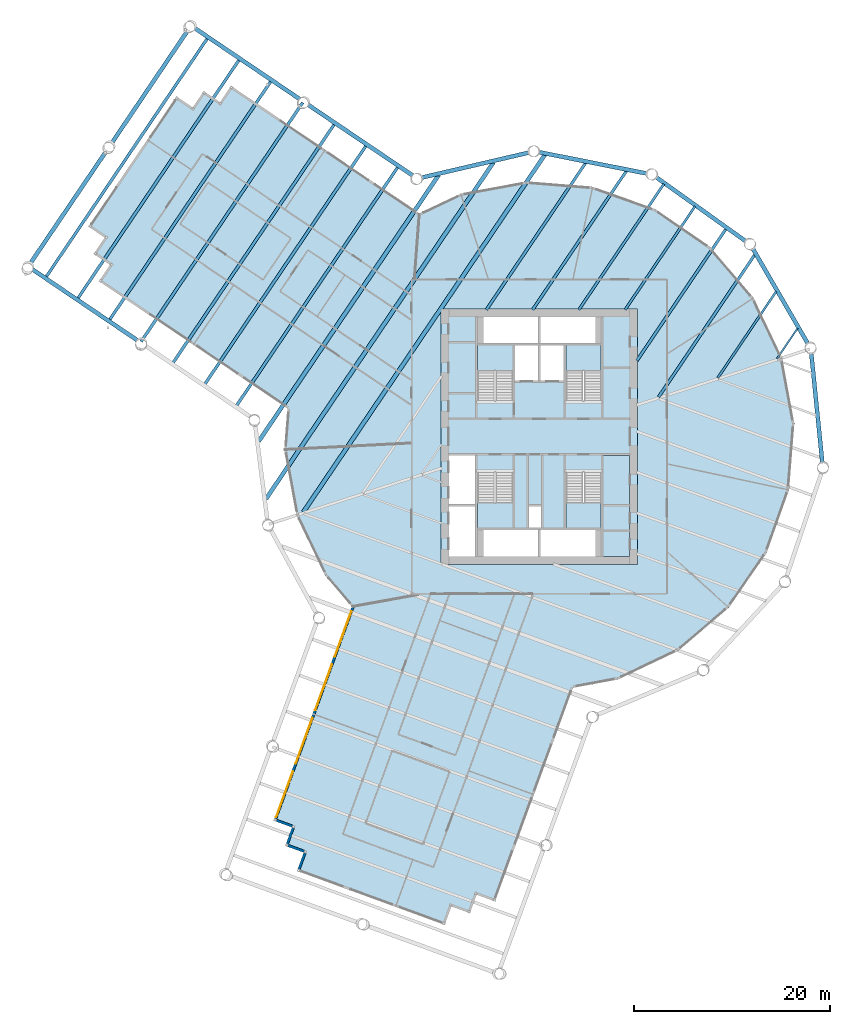
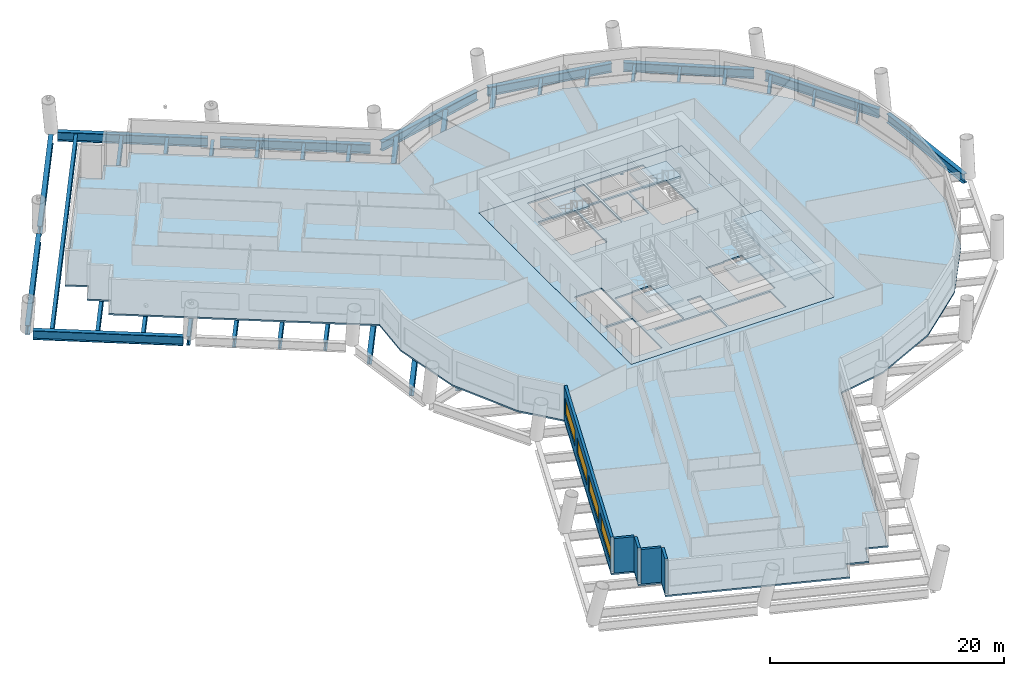
# One storey, part 2 of 13: 28 beams, 7 slabs, 5 walls, 4 windows, 4 openings, 4 elements without a shape of their own.
"""IFC4 building model written with IfcOpenShell, lengths in metres."""

from ifc_helpers import new_model, si_unit, direction, frame, frame_2d, origin, origin_2d, place, context, subcontext, project, spatial, polyline, rectangle, i_section, outline, extrude, material, layer, layer_set, material_profile, profile_set, type_object, element, fill, aggregate, save


model = new_model("IFC4")

# Units and contexts
model_context = context("Model", 3, precision=1e-05, world=origin(), true_north=direction((0.0, 1.0)))
body_context = subcontext(model_context, "Body", "Model", "MODEL_VIEW")
ifc_project = project(units=[si_unit("LENGTHUNIT", "METRE"), si_unit("AREAUNIT", "SQUARE_METRE"), si_unit("VOLUMEUNIT", "CUBIC_METRE"), si_unit("PLANEANGLEUNIT", "RADIAN"), si_unit("MASSUNIT", "GRAM", prefix="KILO")], contexts=[model_context])

# Site, building, storey
site_placement = place(None, origin())
site = spatial("IfcSite", under=ifc_project, at=site_placement, CompositionType="ELEMENT")
building_placement = place(site_placement, origin())
building = spatial("IfcBuilding", under=site, at=building_placement, Name="Tarsis Ring Headquarters", CompositionType="ELEMENT")
storey_placement = place(building_placement, frame((0.0, 0.0, 135.699951171875)))
storey = spatial("IfcBuildingStorey", under=building, at=storey_placement, Name="L31", CompositionType="ELEMENT", Elevation=135.699951171875)

# Beams
ifc_material_1 = material(Name="Structural steel S355", Category="steel")
ifc_material_profile_1 = material_profile(ifc_material_1, i_section(OverallWidth=0.177734375, OverallDepth=0.406494140625, WebThickness=0.0078125, FlangeThickness=0.0126953125, at=origin_2d()), Name="W16x40")
ifc_profile_set_1 = profile_set([ifc_material_profile_1], Name="Structural steel S355")
beam_type_1 = type_object("IfcBeamType", Name="FB Floor beam W16x40", PredefinedType="JOIST", material=ifc_profile_set_1)
beam_1_placement = place(storey_placement, frame((26.287109375, 11.0302734375, -0.363037109375), z_axis=(-0.560034167022, -0.828469511671, 0.0), x_axis=(0.828469511671, -0.560034167022, 0.0)))
element("IfcBeam", 1, at=beam_1_placement, inside=storey, type_object=beam_type_1, Name="Floor beam FB1", PredefinedType="JOIST", context=body_context, shape_type="SweptSolid", body=[
    extrude(i_section(OverallWidth=0.177734375, OverallDepth=0.406494140625, WebThickness=0.0078125, FlangeThickness=0.0126953125, at=origin_2d()), origin(), (0.0, 0.0, 1.0), 3.74169921875),
])
ifc_material_profile_2 = material_profile(ifc_material_1, i_section(OverallWidth=0.228271484375, OverallDepth=0.607177734375, WebThickness=0.01123046875, FlangeThickness=0.017333984375, at=origin_2d()), Name="W24x76")
ifc_profile_set_2 = profile_set([ifc_material_profile_2], Name="Structural steel S355")
beam_type_2 = type_object("IfcBeamType", Name="FB Floor beam W24x76", PredefinedType="JOIST", material=ifc_profile_set_2)
beam_2_placement = place(storey_placement, frame((24.113525390625, 14.7783203125, -0.463623046875), z_axis=(-0.560062127069, -0.828450610371, 0.0), x_axis=(0.828450610371, -0.560062127069, 0.0)))
element("IfcBeam", 2, at=beam_2_placement, inside=storey, type_object=beam_type_2, Name="Floor beam FB4", PredefinedType="JOIST", context=body_context, shape_type="SweptSolid", body=[
    extrude(i_section(OverallWidth=0.228271484375, OverallDepth=0.607177734375, WebThickness=0.01123046875, FlangeThickness=0.017333984375, at=origin_2d()), origin(), (0.0, 0.0, 1.0), 10.62109375),
])
ifc_material_profile_3 = material_profile(ifc_material_1, i_section(OverallWidth=0.2529296875, OverallDepth=0.67822265625, WebThickness=0.01171875, FlangeThickness=0.016357421875, at=origin_2d()), Name="W27x84")
ifc_profile_set_3 = profile_set([ifc_material_profile_3], Name="Structural steel S355")
beam_type_3 = type_object("IfcBeamType", Name="FB Floor beam W27x84", PredefinedType="JOIST", material=ifc_profile_set_3)
beam_3_placement = place(storey_placement, frame((15.845703125, 23.439208984375, -0.4990234375), z_axis=(-0.560064984481, -0.828448678651, 0.0), x_axis=(0.828448678651, -0.560064984481, 0.0)))
element("IfcBeam", 3, at=beam_3_placement, inside=storey, type_object=beam_type_3, Name="Floor beam FB5", PredefinedType="JOIST", context=body_context, shape_type="SweptSolid", body=[
    extrude(i_section(OverallWidth=0.2529296875, OverallDepth=0.67822265625, WebThickness=0.01171875, FlangeThickness=0.016357421875, at=origin_2d()), origin(), (0.0, 0.0, 1.0), 12.700927734375),
])
ifc_material_profile_4 = material_profile(ifc_material_1, i_section(OverallWidth=0.2666015625, OverallDepth=0.7568359375, WebThickness=0.013916015625, FlangeThickness=0.019287109375, at=origin_2d()), Name="W30x108")
ifc_profile_set_4 = profile_set([ifc_material_profile_4], Name="Structural steel S355")
beam_type_4 = type_object("IfcBeamType", Name="FB Floor beam W30x108", PredefinedType="JOIST", material=ifc_profile_set_4)
beam_4_placement = place(storey_placement, frame((12.67138671875, 25.70751953125, -0.538330078125), z_axis=(-0.560053114265, -0.828456703276, 0.0), x_axis=(0.828456703276, -0.560053114265, 0.0)))
element("IfcBeam", 4, at=beam_4_placement, inside=storey, type_object=beam_type_4, Name="Floor beam FB6", PredefinedType="JOIST", context=body_context, shape_type="SweptSolid", body=[
    extrude(i_section(OverallWidth=0.2666015625, OverallDepth=0.7568359375, WebThickness=0.013916015625, FlangeThickness=0.019287109375, at=origin_2d()), origin(), (0.0, 0.0, 1.0), 15.438720703125),
])
ifc_material_profile_5 = material_profile(ifc_material_1, i_section(OverallWidth=0.2919921875, OverallDepth=0.835693359375, WebThickness=0.013916015625, FlangeThickness=0.018798828125, at=origin_2d()), Name="W33x118")
ifc_profile_set_5 = profile_set([ifc_material_profile_5], Name="Structural steel S355")
beam_type_5 = type_object("IfcBeamType", Name="FB Floor beam W33x118", PredefinedType="JOIST", material=ifc_profile_set_5)
beam_5_placement = place(storey_placement, frame((21.939697265625, 18.526611328125, -0.577880859375), z_axis=(-0.560061632152, -0.828450944952, 0.0), x_axis=(0.828450944952, -0.560061632152, 0.0)))
element("IfcBeam", 5, at=beam_5_placement, inside=storey, type_object=beam_type_5, Name="Floor beam FB7", PredefinedType="JOIST", context=body_context, shape_type="SweptSolid", body=[
    extrude(i_section(OverallWidth=0.2919921875, OverallDepth=0.835693359375, WebThickness=0.013916015625, FlangeThickness=0.018798828125, at=origin_2d()), origin(), (0.0, 0.0, 1.0), 17.500732421875),
])
beam_6_placement = place(storey_placement, frame((19.02001953125, 21.171142578125, -0.577880859375), z_axis=(-0.560060068609, -0.828452001959, 0.0), x_axis=(0.828452001959, -0.560060068609, 0.0)))
element("IfcBeam", 6, at=beam_6_placement, inside=storey, type_object=beam_type_5, Name="Floor beam FB7", PredefinedType="JOIST", context=body_context, shape_type="SweptSolid", body=[
    extrude(i_section(OverallWidth=0.2919921875, OverallDepth=0.835693359375, WebThickness=0.013916015625, FlangeThickness=0.018798828125, at=origin_2d()), origin(), (0.0, 0.0, 1.0), 16.205322265625),
])
beam_7_placement = place(storey_placement, frame((8.882080078125, 27.065673828125, -0.577880859375), z_axis=(-0.560056077276, -0.828454700214, 0.0), x_axis=(0.828454700214, -0.560056077276, 0.0)))
element("IfcBeam", 7, at=beam_7_placement, inside=storey, type_object=beam_type_5, Name="Floor beam FB7", PredefinedType="JOIST", context=body_context, shape_type="SweptSolid", body=[
    extrude(i_section(OverallWidth=0.2919921875, OverallDepth=0.835693359375, WebThickness=0.013916015625, FlangeThickness=0.018798828125, at=origin_2d()), origin(), (0.0, 0.0, 1.0), 17.078125),
])
beam_8_placement = place(storey_placement, frame((4.73046875, 27.887939453125, -0.577880859375), z_axis=(-0.560066720723, -0.828447504878, 0.0), x_axis=(0.828447504878, -0.560066720723, 0.0)))
element("IfcBeam", 8, at=beam_8_placement, inside=storey, type_object=beam_type_5, Name="Floor beam FB7", PredefinedType="JOIST", context=body_context, shape_type="SweptSolid", body=[
    extrude(i_section(OverallWidth=0.2919921875, OverallDepth=0.835693359375, WebThickness=0.013916015625, FlangeThickness=0.018798828125, at=origin_2d()), origin(), (0.0, 0.0, 1.0), 18.07080078125),
])
ifc_material_profile_6 = material_profile(ifc_material_1, i_section(OverallWidth=0.309814453125, OverallDepth=0.949951171875, WebThickness=0.0244140625, FlangeThickness=0.0439453125, at=origin_2d()), Name="W36x256")
ifc_profile_set_6 = profile_set([ifc_material_profile_6], Name="Structural steel S355")
beam_type_6 = type_object("IfcBeamType", Name="FB Floor beam W36x256", PredefinedType="JOIST", material=ifc_profile_set_6)
for number, where, z_axis, x_axis, name in (
    (9, (-14.390625, 27.457763671875, -0.635009765625), (-0.560058799997, -0.828452859579, 0.0), (0.828452859579, -0.560058799997, 0.0), "Floor beam FB11"),
    (10, (-17.62158203125, 29.64208984375, -0.635009765625), (-0.560058799997, -0.828452859579, 0.0), (0.828452859579, -0.560058799997, 0.0), "Floor beam FB11"),
    (11, (-20.8525390625, 31.826416015625, -0.635009765625), (-0.560058799997, -0.828452859579, 0.0), (0.828452859579, -0.560058799997, 0.0), "Floor beam FB11"),
    (12, (-24.08349609375, 34.010498046875, -0.635009765625), (-0.560058799997, -0.828452859579, 0.0), (0.828452859579, -0.560058799997, 0.0), "Floor beam FB11"),
    (13, (-27.314453125, 36.19482421875, -0.635009765625), (-0.560058799997, -0.828452859579, 0.0), (0.828452859579, -0.560058799997, 0.0), "Floor beam FB11"),
    (14, (-30.54541015625, 38.379150390625, -0.635009765625), (-0.560058799997, -0.828452859579, 0.0), (0.828452859579, -0.560058799997, 0.0), "Floor beam FB11"),
    (15, (-33.7763671875, 40.563232421875, -0.635009765625), (-0.560058799997, -0.828452859579, 0.0), (0.828452859579, -0.560058799997, 0.0), "Floor beam FB11"),
):
    element("IfcBeam", number, at=place(storey_placement, frame(where, z_axis=z_axis, x_axis=x_axis)), inside=storey, type_object=beam_type_6, Name=name, PredefinedType="JOIST", context=body_context, shape_type="SweptSolid", body=[
        extrude(i_section(OverallWidth=0.309814453125, OverallDepth=0.949951171875, WebThickness=0.0244140625, FlangeThickness=0.0439453125, at=origin_2d()), origin(), (0.0, 0.0, 1.0), 29.375732421875),
    ])
ifc_material_profile_7 = material_profile(ifc_material_1, i_section(OverallWidth=0.42431640625, OverallDepth=0.947509765625, WebThickness=0.02392578125, FlangeThickness=0.042724609375, at=origin_2d()), Name="W36x302")
ifc_profile_set_7 = profile_set([ifc_material_profile_7], Name="Structural steel S355")
beam_type_7 = type_object("IfcBeamType", Name="FB Floor beam W36x302", PredefinedType="JOIST", material=ifc_profile_set_7)
beam_9_placement = place(storey_placement, frame((0.578857421875, 28.710205078125, -0.633544921875), z_axis=(-0.560062943023, -0.828450058756, 0.0), x_axis=(0.828450058756, -0.560062943023, 0.0)))
element("IfcBeam", 16, at=beam_9_placement, inside=storey, type_object=beam_type_7, Name="Floor beam FB12", PredefinedType="JOIST", context=body_context, shape_type="SweptSolid", body=[
    extrude(i_section(OverallWidth=0.42431640625, OverallDepth=0.947509765625, WebThickness=0.02392578125, FlangeThickness=0.042724609375, at=origin_2d()), origin(), (0.0, 0.0, 1.0), 43.924560546875),
])
beam_10_placement = place(storey_placement, frame((-4.6611328125, 27.9228515625, -0.633544921875), z_axis=(-0.560059293803, -0.828452525752, 0.0), x_axis=(0.828452525752, -0.560059293803, 0.0)))
element("IfcBeam", 17, at=beam_10_placement, inside=storey, type_object=beam_type_7, Name="Floor beam FB12", PredefinedType="JOIST", context=body_context, shape_type="SweptSolid", body=[
    extrude(i_section(OverallWidth=0.42431640625, OverallDepth=0.947509765625, WebThickness=0.02392578125, FlangeThickness=0.042724609375, at=origin_2d()), origin(), (0.0, 0.0, 1.0), 41.35302734375),
])
beam_11_placement = place(storey_placement, frame((-10.250732421875, 26.6181640625, -0.633544921875), z_axis=(-0.560061708418, -0.828450893393, 0.0), x_axis=(0.828450893393, -0.560061708418, 0.0)))
element("IfcBeam", 18, at=beam_11_placement, inside=storey, type_object=beam_type_7, Name="Floor beam FB12", PredefinedType="JOIST", context=body_context, shape_type="SweptSolid", body=[
    extrude(i_section(OverallWidth=0.42431640625, OverallDepth=0.947509765625, WebThickness=0.02392578125, FlangeThickness=0.042724609375, at=origin_2d()), origin(), (0.0, 0.0, 1.0), 32.70458984375),
])
beam_type_8 = type_object("IfcBeamType", Name="XG Ring girder W36x302", PredefinedType="BEAM", material=ifc_profile_set_7)
beam_12_placement = place(storey_placement, frame((28.814453125, -2.716064453125, -0.4736328125), z_axis=(-0.100516147334, 0.994935427113, 0.0), x_axis=(-0.994935427113, -0.100516147334, 0.0)))
element("IfcBeam", 19, at=beam_12_placement, inside=storey, type_object=beam_type_8, Name="Ring girder XG1", PredefinedType="BEAM", context=body_context, shape_type="SweptSolid", body=[
    extrude(i_section(OverallWidth=0.42431640625, OverallDepth=0.947509765625, WebThickness=0.02392578125, FlangeThickness=0.042724609375, at=origin_2d()), origin(), (0.0, 0.0, 1.0), 11.197021484375),
])
beam_13_placement = place(storey_placement, frame((27.372314453125, 9.40234375, -0.4736328125), z_axis=(-0.501677301417, 0.865054845222, 0.0), x_axis=(-0.865054845222, -0.501677301417, 0.0)))
element("IfcBeam", 20, at=beam_13_placement, inside=storey, type_object=beam_type_8, Name="Ring girder XG1", PredefinedType="BEAM", context=body_context, shape_type="SweptSolid", body=[
    extrude(i_section(OverallWidth=0.42431640625, OverallDepth=0.947509765625, WebThickness=0.02392578125, FlangeThickness=0.042724609375, at=origin_2d()), origin(), (0.0, 0.0, 1.0), 11.197265625),
])
beam_14_placement = place(storey_placement, frame((21.0634765625, 19.84912109375, -0.4736328125), z_axis=(-0.81364801784, 0.581357809842, 0.0), x_axis=(-0.581357809842, -0.81364801784, 0.0)))
element("IfcBeam", 21, at=beam_14_placement, inside=storey, type_object=beam_type_8, Name="Ring girder XG1", PredefinedType="BEAM", context=body_context, shape_type="SweptSolid", body=[
    extrude(i_section(OverallWidth=0.42431640625, OverallDepth=0.947509765625, WebThickness=0.02392578125, FlangeThickness=0.042724609375, at=origin_2d()), origin(), (0.0, 0.0, 1.0), 11.197509765625),
])
beam_15_placement = place(storey_placement, frame((11.00927734375, 26.7666015625, -0.4736328125), z_axis=(-0.98094377027, 0.194291841229, 0.0), x_axis=(-0.194291841229, -0.98094377027, 0.0)))
element("IfcBeam", 22, at=beam_15_placement, inside=storey, type_object=beam_type_8, Name="Ring girder XG1", PredefinedType="BEAM", context=body_context, shape_type="SweptSolid", body=[
    extrude(i_section(OverallWidth=0.42431640625, OverallDepth=0.947509765625, WebThickness=0.02392578125, FlangeThickness=0.042724609375, at=origin_2d()), origin(), (0.0, 0.0, 1.0), 11.197265625),
])
beam_16_placement = place(storey_placement, frame((-1.00244140625, 28.9248046875, -0.4736328125), z_axis=(-0.973824802998, -0.227299918755, 0.0), x_axis=(0.227299918755, -0.973824802998, 0.0)))
element("IfcBeam", 23, at=beam_16_placement, inside=storey, type_object=beam_type_8, Name="Ring girder XG1", PredefinedType="BEAM", context=body_context, shape_type="SweptSolid", body=[
    extrude(i_section(OverallWidth=0.42431640625, OverallDepth=0.947509765625, WebThickness=0.02392578125, FlangeThickness=0.042724609375, at=origin_2d()), origin(), (0.0, 0.0, 1.0), 11.197509765625),
])
for number, where, z_axis, x_axis, name in (
    (24, (-12.854248046875, 26.554443359375, -0.4736328125), (-0.828449601489, 0.560063619416, 0.0), (-0.560063619416, -0.828449601489, 0.0), "Ring girder XG1"),
    (25, (-24.37158203125, 34.340576171875, -0.4736328125), (-0.828449601489, 0.560063619416, 0.0), (-0.560063619416, -0.828449601489, 0.0), "Ring girder XG1"),
):
    element("IfcBeam", number, at=place(storey_placement, frame(where, z_axis=z_axis, x_axis=x_axis)), inside=storey, type_object=beam_type_8, Name=name, PredefinedType="BEAM", context=body_context, shape_type="SweptSolid", body=[
        extrude(i_section(OverallWidth=0.42431640625, OverallDepth=0.947509765625, WebThickness=0.02392578125, FlangeThickness=0.042724609375, at=origin_2d()), origin(), (0.0, 0.0, 1.0), 12.850830078125),
    ])
for number, where, z_axis, x_axis, name in (
    (26, (-35.747802734375, 41.396728515625, -0.4736328125), (-0.560061029397, -0.828451352435, 0.0), (0.828451352435, -0.560061029397, 0.0), "Ring girder XG1"),
    (27, (-44.03662109375, 29.1357421875, -0.4736328125), (-0.5600527902, -0.82845692235, 0.0), (0.82845692235, -0.5600527902, 0.0), "Ring girder XG1"),
):
    element("IfcBeam", number, at=place(storey_placement, frame(where, z_axis=z_axis, x_axis=x_axis)), inside=storey, type_object=beam_type_8, Name=name, PredefinedType="BEAM", context=body_context, shape_type="SweptSolid", body=[
        extrude(i_section(OverallWidth=0.42431640625, OverallDepth=0.947509765625, WebThickness=0.02392578125, FlangeThickness=0.042724609375, at=origin_2d()), origin(), (0.0, 0.0, 1.0), 13.74853515625),
    ])
beam_17_placement = place(storey_placement, frame((-51.595458984375, 17.015625, -0.4736328125), z_axis=(0.828452457217, -0.560059395182, 0.0), x_axis=(0.560059395182, 0.828452457217, 0.0)))
element("IfcBeam", 28, at=beam_17_placement, inside=storey, type_object=beam_type_8, Name="Ring girder XG1", PredefinedType="BEAM", context=body_context, shape_type="SweptSolid", body=[
    extrude(i_section(OverallWidth=0.42431640625, OverallDepth=0.947509765625, WebThickness=0.02392578125, FlangeThickness=0.042724609375, at=origin_2d()), origin(), (0.0, 0.0, 1.0), 12.850341796875),
])

# Slab
ifc_material_2 = material(Name="Concrete C40/50", Category="concrete")
ifc_layer_1 = layer(ifc_material_2, 0.159912109375)
ifc_layer_set_1 = layer_set([ifc_layer_1], Name="Core floor slab 160 C40/50")
slab_type_1 = type_object("IfcSlabType", Name="Core floor slab 160 C40/50", PredefinedType="FLOOR", material=ifc_layer_set_1)
slab_1_placement = place(storey_placement, frame((0.0, 0.0, -0.159912109375)))
element("IfcSlab", 29, at=slab_1_placement, inside=storey, type_object=slab_type_1, Name="L31 core floor slab", PredefinedType="FLOOR", context=body_context, shape_type="SweptSolid", body=[
    extrude(outline(polyline([(-10.0, -13.0), (10.0, -13.0), (10.0, 13.0), (-10.0, 13.0), (-10.0, -13.0)]), holes=[polyline([(-2.5, 5.699951171875), (-0.10009765625, 5.699951171875), (-0.10009765625, 9.300048828125), (-2.5, 9.300048828125), (-2.5, 5.699951171875)]), polyline([(0.10009765625, 5.699951171875), (2.5, 5.699951171875), (2.5, 9.300048828125), (0.10009765625, 9.300048828125), (0.10009765625, 5.699951171875)]), polyline([(-9.199951171875, -12.199951171875), (-6.5, -12.199951171875), (-6.5, -7.10009765625), (-9.199951171875, -7.10009765625), (-9.199951171875, -12.199951171875)]), polyline([(-9.199951171875, -6.89990234375), (-6.5, -6.89990234375), (-6.5, -1.89990234375), (-9.199951171875, -1.89990234375), (-9.199951171875, -6.89990234375)]), polyline([(-5.699951171875, 9.5), (-0.10009765625, 9.5), (-0.10009765625, 12.199951171875), (-5.699951171875, 12.199951171875), (-5.699951171875, 9.5)]), polyline([(0.10009765625, 9.5), (5.699951171875, 9.5), (5.699951171875, 12.199951171875), (0.10009765625, 12.199951171875), (0.10009765625, 9.5)]), polyline([(-5.699951171875, -12.199951171875), (-0.10009765625, -12.199951171875), (-0.10009765625, -9.5), (-5.699951171875, -9.5), (-5.699951171875, -12.199951171875)]), polyline([(0.10009765625, -12.199951171875), (5.699951171875, -12.199951171875), (5.699951171875, -9.5), (0.10009765625, -9.5), (0.10009765625, -12.199951171875)]), polyline([(-1.10009765625, -9.300048828125), (0.199951171875, -9.300048828125), (0.199951171875, -7.10009765625), (-1.10009765625, -7.10009765625), (-1.10009765625, -9.300048828125)]), polyline([(-2.699951171875, 3.760009765625), (-2.699951171875, 9.300048828125), (-6.300048828125, 9.300048828125), (-6.300048828125, 3.659912109375), (-4.4599609375, 3.659912109375), (-4.4599609375, 3.760009765625), (-2.699951171875, 3.760009765625)]), polyline([(6.300048828125, 3.760009765625), (6.300048828125, 9.300048828125), (2.699951171875, 9.300048828125), (2.699951171875, 3.659912109375), (4.5400390625, 3.659912109375), (4.5400390625, 3.760009765625), (6.300048828125, 3.760009765625)]), polyline([(-6.300048828125, -3.760009765625), (-6.300048828125, -9.300048828125), (-2.699951171875, -9.300048828125), (-2.699951171875, -3.659912109375), (-4.5400390625, -3.659912109375), (-4.5400390625, -3.760009765625), (-6.300048828125, -3.760009765625)]), polyline([(2.699951171875, -3.760009765625), (2.699951171875, -9.300048828125), (6.300048828125, -9.300048828125), (6.300048828125, -3.659912109375), (4.4599609375, -3.659912109375), (4.4599609375, -3.760009765625), (2.699951171875, -3.760009765625)])]), origin(), (0.0, 0.0, 1.0), 0.159912109375),
])

# Stair, slab
ifc_material_3 = material(Name="Core stair 1760")
stair_type = type_object("IfcStairType", Name="Core stair 1760", PredefinedType="HALF_TURN_STAIR", material=ifc_material_3)
stair_1_placement = place(storey_placement, origin())
stair_1 = element("IfcStair", 30, at=stair_1_placement, inside=storey, type_object=stair_type, Name="L31 Firefighting stair", PredefinedType="HALF_TURN_STAIR")
ifc_layer_2 = layer(ifc_material_2, 0.199951171875)
ifc_layer_set_2 = layer_set([ifc_layer_2], Name="Core stair landing 200")
slab_type_2 = type_object("IfcSlabType", Name="Core stair landing 200", PredefinedType="LANDING", material=ifc_layer_set_2)
slab_2_placement = place(storey_placement, frame((0.0, 0.0, 1.75)))
slab_2 = element("IfcSlab", 31, at=slab_2_placement, type_object=slab_type_2, Name="Stair ST1 landing 1", PredefinedType="LANDING", context=body_context, shape_type="SweptSolid", body=[
    extrude(outline(polyline([(-2.699951171875, 6.739990234375), (-2.699951171875, 9.300048828125), (-6.300048828125, 9.300048828125), (-6.300048828125, 6.739990234375), (-2.699951171875, 6.739990234375)])), origin(), (0.0, 0.0, 1.0), 0.199951171875),
])
aggregate(stair_1, [slab_2])

stair_2_placement = place(storey_placement, origin())
stair_2 = element("IfcStair", 32, at=stair_2_placement, inside=storey, type_object=stair_type, Name="L31 Exit stair B", PredefinedType="HALF_TURN_STAIR")
slab_3_placement = place(storey_placement, frame((0.0, 0.0, 1.75)))
slab_3 = element("IfcSlab", 33, at=slab_3_placement, type_object=slab_type_2, Name="Stair ST2 landing 1", PredefinedType="LANDING", context=body_context, shape_type="SweptSolid", body=[
    extrude(outline(polyline([(6.300048828125, 6.739990234375), (6.300048828125, 9.300048828125), (2.699951171875, 9.300048828125), (2.699951171875, 6.739990234375), (6.300048828125, 6.739990234375)])), origin(), (0.0, 0.0, 1.0), 0.199951171875),
])
aggregate(stair_2, [slab_3])

stair_3_placement = place(storey_placement, origin())
stair_3 = element("IfcStair", 34, at=stair_3_placement, inside=storey, type_object=stair_type, Name="L31 Exit stair C", PredefinedType="HALF_TURN_STAIR")
slab_4_placement = place(storey_placement, frame((0.0, 0.0, 1.75)))
slab_4 = element("IfcSlab", 35, at=slab_4_placement, type_object=slab_type_2, Name="Stair ST3 landing 1", PredefinedType="LANDING", context=body_context, shape_type="SweptSolid", body=[
    extrude(outline(polyline([(-6.300048828125, -6.739990234375), (-6.300048828125, -9.300048828125), (-2.699951171875, -9.300048828125), (-2.699951171875, -6.739990234375), (-6.300048828125, -6.739990234375)])), origin(), (0.0, 0.0, 1.0), 0.199951171875),
])
aggregate(stair_3, [slab_4])

stair_4_placement = place(storey_placement, origin())
stair_4 = element("IfcStair", 36, at=stair_4_placement, inside=storey, type_object=stair_type, Name="L31 Exit stair D", PredefinedType="HALF_TURN_STAIR")
slab_5_placement = place(storey_placement, frame((0.0, 0.0, 1.75)))
slab_5 = element("IfcSlab", 37, at=slab_5_placement, type_object=slab_type_2, Name="Stair ST4 landing 1", PredefinedType="LANDING", context=body_context, shape_type="SweptSolid", body=[
    extrude(outline(polyline([(2.699951171875, -6.739990234375), (2.699951171875, -9.300048828125), (6.300048828125, -9.300048828125), (6.300048828125, -6.739990234375), (2.699951171875, -6.739990234375)])), origin(), (0.0, 0.0, 1.0), 0.199951171875),
])
aggregate(stair_4, [slab_5])

# Slabs
ifc_material_4 = material(Name="Concrete C35/45", Category="concrete")
ifc_layer_3 = layer(ifc_material_4, 0.159912109375)
ifc_layer_set_3 = layer_set([ifc_layer_3], Name="FS Composite floor slab 160")
slab_type_3 = type_object("IfcSlabType", Name="FS Composite floor slab 160", PredefinedType="FLOOR", material=ifc_layer_set_3)
slab_6_placement = place(storey_placement, frame((0.0, 0.0, -0.159912109375)))
element("IfcSlab", 38, at=slab_6_placement, inside=storey, type_object=slab_type_3, Name="Floor slab L31", PredefinedType="FLOOR", context=body_context, shape_type="SweptSolid", body=[
    extrude(outline(polyline([(-25.632568359375, 2.84375), (-25.9658203125, -1.33349609375), (-24.73583984375, -8.008544921875), (-21.8203125, -14.1376953125), (-19.10205078125, -17.3271484375), (-27.05029296875, -39.09326171875), (-25.171630859375, -39.779296875), (-25.857421875, -41.657958984375), (-23.978759765625, -42.343994140625), (-24.664794921875, -44.22265625), (-9.635498046875, -49.710693359375), (-8.949462890625, -47.83203125), (-7.07080078125, -48.51806640625), (-6.384765625, -46.639404296875), (-4.506103515625, -47.325439453125), (3.434814453125, -25.57861328125), (8.008544921875, -24.73583984375), (14.1376953125, -21.8203125), (19.303466796875, -17.417724609375), (23.15380859375, -11.828125), (25.42626953125, -5.432373046875), (25.9658203125, 1.33349609375), (24.73583984375, 8.008544921875), (21.8203125, 14.1376953125), (17.417724609375, 19.303466796875), (11.828125, 23.15380859375), (5.432373046875, 25.42626953125), (-1.33349609375, 25.9658203125), (-8.008544921875, 24.73583984375), (-12.208251953125, 22.738037109375), (-31.387939453125, 35.7041015625), (-32.508056640625, 34.04736328125), (-34.1650390625, 35.16748046875), (-35.28515625, 33.510498046875), (-36.942138671875, 34.630615234375), (-45.903076171875, 21.37548828125), (-44.24609375, 20.25537109375), (-45.3662109375, 18.598388671875), (-43.70947265625, 17.478271484375), (-44.82958984375, 15.8212890625), (-25.632568359375, 2.84375)]), holes=[polyline([(-10.0, -13.0), (-10.0, 13.0), (10.0, 13.0), (10.0, -13.0), (-10.0, -13.0)])]), origin(), (0.0, 0.0, 1.0), 0.159912109375),
])
ifc_layer_4 = layer(ifc_material_2, 0.199951171875)
ifc_layer_set_4 = layer_set([ifc_layer_4], Name="Lift pit slab 200 C40/50")
slab_type_4 = type_object("IfcSlabType", Name="Lift pit slab 200 C40/50", PredefinedType="FLOOR", material=ifc_layer_set_4)
slab_7_placement = place(storey_placement, frame((0.0, 0.0, 2.400146484375)))
element("IfcSlab", 39, at=slab_7_placement, inside=storey, type_object=slab_type_4, Name="L31 lift pit floor 1", PredefinedType="FLOOR", context=body_context, shape_type="SweptSolid", body=[
    extrude(outline(polyline([(6.5, -12.199951171875), (9.199951171875, -12.199951171875), (9.199951171875, -1.89990234375), (6.5, -1.89990234375), (6.5, -12.199951171875)])), origin(), (0.0, 0.0, 1.0), 0.199951171875),
])

# Wall, openings, windows
ifc_material_5 = material(Name="Terracotta clad insulated panel wall", Category="masonry")
ifc_layer_5 = layer(ifc_material_5, 0.25)
ifc_layer_set_5 = layer_set([ifc_layer_5], Name="Facade wall terracotta panel 250")
wall_type = type_object("IfcWallType", Name="Facade wall terracotta panel 250", PredefinedType="STANDARD", material=ifc_layer_set_5)
wall_placement = place(storey_placement, frame((-18.984619140625, -17.369873046875, 0.0), z_axis=(0.0, 0.0, 1.0), x_axis=(-0.343001584051, -0.939334824936, 0.0)))
wall = element("IfcWall", 40, at=wall_placement, inside=storey, type_object=wall_type, Name="External wall L31-06", PredefinedType="STANDARD", context=body_context, shape_type="SweptSolid", body=[
    extrude(rectangle(XDim=22.922119140625, YDim=0.25, at=frame_2d((11.4609375, 0.0))), origin(), (0.0, 0.0, 1.0), 3.60009765625),
])
opening_1_placement = place(wall_placement, frame((0.42138671875, 0.0, 0.89990234375)))
opening_1 = element("IfcOpeningElement", 41, at=opening_1_placement, cuts=wall, Name="Opening WN05", PredefinedType="OPENING", context=body_context, shape_type="SweptSolid", body=[
    extrude(rectangle(XDim=4.949951171875, YDim=1.699951171875, at=frame_2d((2.47509765625, 0.85009765625))), frame((0.0, 0.135009765625, 0.0), z_axis=(0.0, -1.0, 0.0), x_axis=(1.0, 0.0, 0.0)), (0.0, 0.0, 1.0), 0.27001953125),
])
opening_2_placement = place(wall_placement, frame((6.214599609375, 0.0, 0.89990234375)))
opening_2 = element("IfcOpeningElement", 42, at=opening_2_placement, cuts=wall, Name="Opening WN05", PredefinedType="OPENING", context=body_context, shape_type="SweptSolid", body=[
    extrude(rectangle(XDim=4.949951171875, YDim=1.699951171875, at=frame_2d((2.47509765625, 0.85009765625))), frame((0.0, 0.135009765625, 0.0), z_axis=(0.0, -1.0, 0.0), x_axis=(1.0, 0.0, 0.0)), (0.0, 0.0, 1.0), 0.27001953125),
])
opening_3_placement = place(wall_placement, frame((12.007568359375, 0.0, 0.89990234375)))
opening_3 = element("IfcOpeningElement", 43, at=opening_3_placement, cuts=wall, Name="Opening WN05", PredefinedType="OPENING", context=body_context, shape_type="SweptSolid", body=[
    extrude(rectangle(XDim=4.949951171875, YDim=1.699951171875, at=frame_2d((2.47509765625, 0.85009765625))), frame((0.0, 0.135009765625, 0.0), z_axis=(0.0, -1.0, 0.0), x_axis=(1.0, 0.0, 0.0)), (0.0, 0.0, 1.0), 0.27001953125),
])
opening_4_placement = place(wall_placement, frame((17.800537109375, 0.0, 0.89990234375)))
opening_4 = element("IfcOpeningElement", 44, at=opening_4_placement, cuts=wall, Name="Opening WN05", PredefinedType="OPENING", context=body_context, shape_type="SweptSolid", body=[
    extrude(rectangle(XDim=4.949951171875, YDim=1.699951171875, at=frame_2d((2.47509765625, 0.85009765625))), frame((0.0, 0.135009765625, 0.0), z_axis=(0.0, -1.0, 0.0), x_axis=(1.0, 0.0, 0.0)), (0.0, 0.0, 1.0), 0.27001953125),
])
ifc_material_6 = material(Name="Aluminium framed double glazing", Category="aluminium")
window_type = type_object("IfcWindowType", Name="Facade window 4950 x 1700", PartitioningType="SINGLE_PANEL", PredefinedType="WINDOW", material=ifc_material_6)
window_1_placement = place(opening_1_placement, origin())
window_1 = element("IfcWindow", 45, at=window_1_placement, inside=storey, type_object=window_type, Name="Window L31-06.1", OverallHeight=1.699951171875, OverallWidth=4.949951171875, PartitioningType="SINGLE_PANEL", PredefinedType="WINDOW", context=body_context, shape_type="SweptSolid", body=[
    extrude(rectangle(XDim=4.949951171875, YDim=1.699951171875, at=frame_2d((2.47509765625, 0.85009765625))), frame((0.0, 0.030029296875, 0.0), z_axis=(0.0, -1.0, 0.0), x_axis=(1.0, 0.0, 0.0)), (0.0, 0.0, 1.0), 0.06005859375),
])
fill(opening_1, window_1)
window_2_placement = place(opening_2_placement, origin())
window_2 = element("IfcWindow", 46, at=window_2_placement, inside=storey, type_object=window_type, Name="Window L31-06.2", OverallHeight=1.699951171875, OverallWidth=4.949951171875, PartitioningType="SINGLE_PANEL", PredefinedType="WINDOW", context=body_context, shape_type="SweptSolid", body=[
    extrude(rectangle(XDim=4.949951171875, YDim=1.699951171875, at=frame_2d((2.47509765625, 0.85009765625))), frame((0.0, 0.030029296875, 0.0), z_axis=(0.0, -1.0, 0.0), x_axis=(1.0, 0.0, 0.0)), (0.0, 0.0, 1.0), 0.06005859375),
])
fill(opening_2, window_2)
window_3_placement = place(opening_3_placement, origin())
window_3 = element("IfcWindow", 47, at=window_3_placement, inside=storey, type_object=window_type, Name="Window L31-06.3", OverallHeight=1.699951171875, OverallWidth=4.949951171875, PartitioningType="SINGLE_PANEL", PredefinedType="WINDOW", context=body_context, shape_type="SweptSolid", body=[
    extrude(rectangle(XDim=4.949951171875, YDim=1.699951171875, at=frame_2d((2.47509765625, 0.85009765625))), frame((0.0, 0.030029296875, 0.0), z_axis=(0.0, -1.0, 0.0), x_axis=(1.0, 0.0, 0.0)), (0.0, 0.0, 1.0), 0.06005859375),
])
fill(opening_3, window_3)
window_4_placement = place(opening_4_placement, origin())
window_4 = element("IfcWindow", 48, at=window_4_placement, inside=storey, type_object=window_type, Name="Window L31-06.4", OverallHeight=1.699951171875, OverallWidth=4.949951171875, PartitioningType="SINGLE_PANEL", PredefinedType="WINDOW", context=body_context, shape_type="SweptSolid", body=[
    extrude(rectangle(XDim=4.949951171875, YDim=1.699951171875, at=frame_2d((2.47509765625, 0.85009765625))), frame((0.0, 0.030029296875, 0.0), z_axis=(0.0, -1.0, 0.0), x_axis=(1.0, 0.0, 0.0)), (0.0, 0.0, 1.0), 0.06005859375),
])
fill(opening_4, window_4)

# Walls
for number, where, z_axis, x_axis, name in (
    (49, (-26.7724609375, -39.061767578125, 0.0), (0.0, 0.0, 1.0), (0.939360886762, -0.342930203425, 0.0), "External wall L31-07"),
    (50, (-25.05419921875, -39.822265625, 0.0), (0.0, 0.0, 1.0), (-0.342930203425, -0.939360886762, 0.0), "External wall L31-08"),
    (51, (-25.579833984375, -41.626220703125, 0.0), (0.0, 0.0, 1.0), (0.939315937845, -0.343053303306, 0.0), "External wall L31-09"),
    (52, (-23.861328125, -42.386962890625, 0.0), (0.0, 0.0, 1.0), (-0.343053303306, -0.939315937845, 0.0), "External wall L31-10"),
):
    element("IfcWall", number, at=place(storey_placement, frame(where, z_axis=z_axis, x_axis=x_axis)), inside=storey, type_object=wall_type, Name=name, PredefinedType="STANDARD", context=body_context, shape_type="SweptSolid", body=[
        extrude(rectangle(XDim=1.75, YDim=0.25, at=frame_2d((0.875, 0.0))), origin(), (0.0, 0.0, 1.0), 3.60009765625),
    ])

save(model, "model.ifc")
